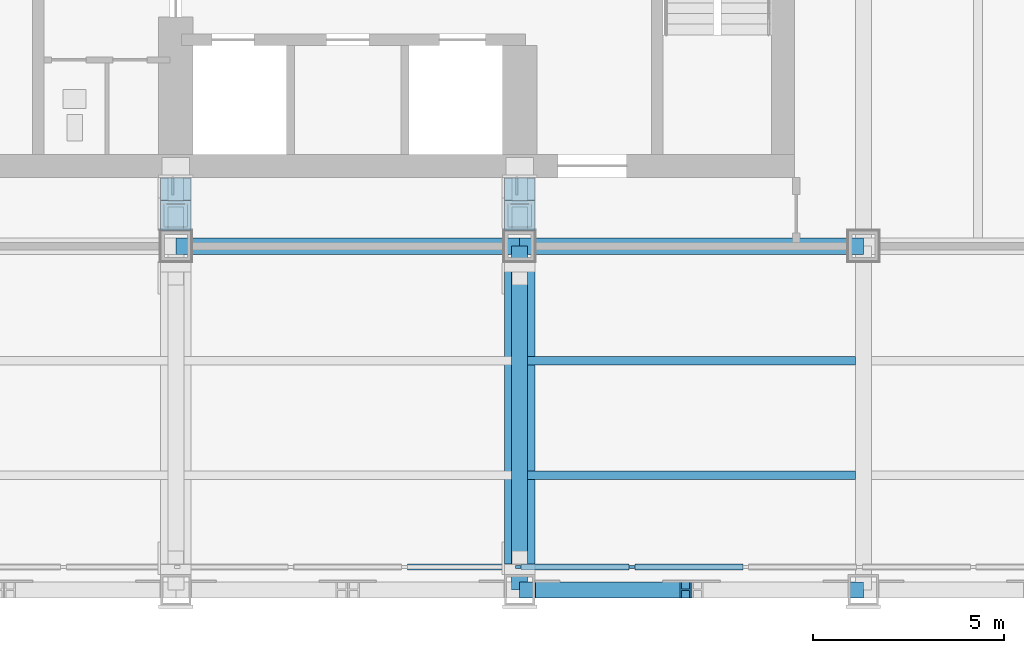
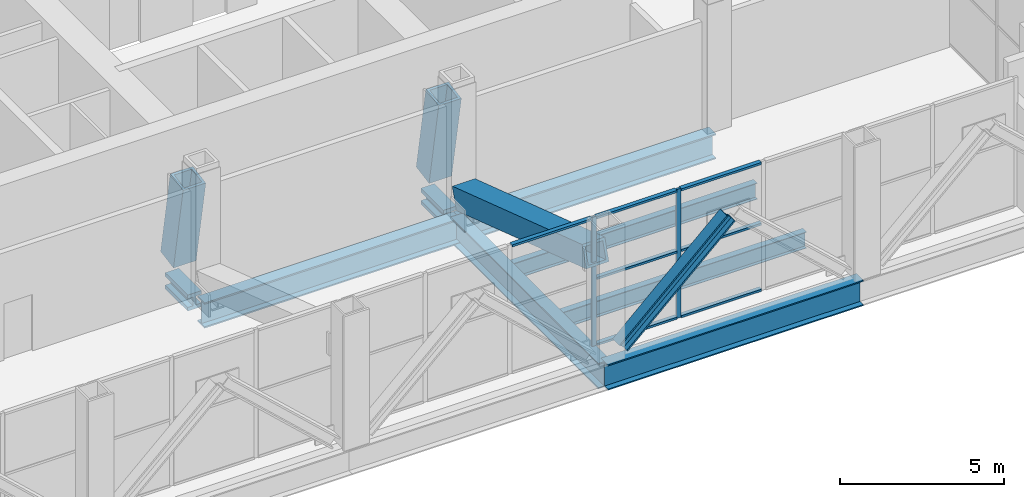
# One storey, part 3 of 13: 15 members, 6 beams, 1 element without a shape of its own.
"""IFC4 building model written with IfcOpenShell, lengths in metres."""

from ifc_helpers import new_model, si_unit, direction, frame, origin, origin_2d, place, context, subcontext, project, spatial, rectangle, hollow_rectangle, i_section, extrude, material, material_profile, profile_set, type_object, element, aggregate, save


model = new_model("IFC4")

# Units and contexts
model_context = context("Model", 3, precision=1e-05, world=origin(), true_north=direction((0.0, 1.0)))
body_context = subcontext(model_context, "Body", "Model", "MODEL_VIEW")
ifc_project = project(units=[si_unit("LENGTHUNIT", "METRE"), si_unit("AREAUNIT", "SQUARE_METRE"), si_unit("VOLUMEUNIT", "CUBIC_METRE"), si_unit("PLANEANGLEUNIT", "RADIAN"), si_unit("MASSUNIT", "GRAM", prefix="KILO")], contexts=[model_context])

# Site, building, storey
site_placement = place(None, origin())
site = spatial("IfcSite", under=ifc_project, at=site_placement, CompositionType="ELEMENT")
building_placement = place(site_placement, origin())
building = spatial("IfcBuilding", under=site, at=building_placement, Name="Loomwork Tower", CompositionType="ELEMENT")
storey_placement = place(building_placement, frame((0.0, 0.0, 221.60009765625)))
storey = spatial("IfcBuildingStorey", under=building, at=storey_placement, Name="L61", CompositionType="ELEMENT", Elevation=221.60009765625)

# Beam
ifc_material_1 = material(Name="Steel ASTM A992", Category="steel")
ifc_material_profile_1 = material_profile(ifc_material_1, i_section(OverallWidth=0.424072265625, OverallDepth=0.947509765625, WebThickness=0.02392578125, FlangeThickness=0.042724609375, at=origin_2d()), Name="W36x302")
ifc_profile_set_1 = profile_set([ifc_material_profile_1], Name="Steel ASTM A992")
beam_type_1 = type_object("IfcBeamType", Name="BELT CHORD SPANDREL W36x302", PredefinedType="SPANDREL", material=ifc_profile_set_1)
beam_1_placement = place(storey_placement, frame((27.0, 0.0, -0.723876953125), z_axis=(1.0, 0.0, 0.0), x_axis=(0.0, 1.0, 0.0)))
element("IfcBeam", 1, at=beam_1_placement, inside=storey, type_object=beam_type_1, Name="Belt Chord Spandrel D/5-D/6 L61", PredefinedType="SPANDREL", context=body_context, shape_type="SweptSolid", body=[
    extrude(i_section(OverallWidth=0.424072265625, OverallDepth=0.947509765625, WebThickness=0.02392578125, FlangeThickness=0.042724609375, at=origin_2d()), origin(), (0.0, 0.0, 1.0), 9.0),
])

# Members
ifc_material_2 = material(Name="Steel ASTM A992", Category="steel")
ifc_material_profile_2 = material_profile(ifc_material_2, i_section(OverallWidth=0.411376953125, OverallDepth=0.434326171875, WebThickness=0.035888671875, FlangeThickness=0.057373046875, at=origin_2d()), Name="W14x311")
ifc_profile_set_2 = profile_set([ifc_material_profile_2], Name="Steel ASTM A992")
member_type_1 = type_object("IfcMemberType", Name="BELT TRUSS DIAGONAL W14x311", PredefinedType="BRACE", material=ifc_profile_set_2)
member_1_placement = place(storey_placement, frame((27.5576171875, 0.0, 0.169189453125), z_axis=(0.732985346521, 0.0, 0.680244427971), x_axis=(0.0, 1.0, 0.0)))
element("IfcMember", 2, at=member_1_placement, inside=storey, type_object=member_type_1, Name="Belt truss diagonal D/5-D/6 L61", PredefinedType="BRACE", context=body_context, shape_type="SweptSolid", body=[
    extrude(i_section(OverallWidth=0.411376953125, OverallDepth=0.434326171875, WebThickness=0.035888671875, FlangeThickness=0.057373046875, at=origin_2d()), origin(), (0.0, 0.0, 1.0), 5.166015625),
])
ifc_material_3 = material(Name="Steel ASTM A572 Grade 50 plate", Category="steel")
ifc_material_profile_3 = material_profile(ifc_material_3, hollow_rectangle(XDim=0.800048828125, YDim=0.800048828125, WallThickness=0.090087890625, at=origin_2d()), Name="BOX800x90")
ifc_profile_set_3 = profile_set([ifc_material_profile_3], Name="Steel ASTM A572 Grade 50 plate")
member_type_2 = type_object("IfcMemberType", Name="OUTRIGGER DIAGONAL BOX800x90", PredefinedType="BRACE", material=ifc_profile_set_3)
member_2_placement = place(storey_placement, frame((18.0, 9.8056640625, 3.76904296875), z_axis=(0.0, 0.178462027692, -0.983946799716), x_axis=(-1.0, 0.0, 0.0)))
element("IfcMember", 3, at=member_2_placement, inside=storey, type_object=member_type_2, Name="Outrigger diagonal E/4 L61", PredefinedType="BRACE", context=body_context, shape_type="SweptSolid", body=[
    extrude(hollow_rectangle(XDim=0.800048828125, YDim=0.800048828125, WallThickness=0.090087890625, at=origin_2d()), origin(), (0.0, 0.0, 1.0), 3.29833984375),
])
member_3_placement = place(storey_placement, frame((27.0, 0.5380859375, 3.460693359375), z_axis=(0.0, 0.949126861958, -0.314893950258), x_axis=(-1.0, 0.0, 0.0)))
element("IfcMember", 4, at=member_3_placement, inside=storey, type_object=member_type_2, Name="Outrigger diagonal D/5 L61", PredefinedType="BRACE", context=body_context, shape_type="SweptSolid", body=[
    extrude(hollow_rectangle(XDim=0.800048828125, YDim=0.800048828125, WallThickness=0.090087890625, at=origin_2d()), origin(), (0.0, 0.0, 1.0), 8.3486328125),
])
member_4_placement = place(storey_placement, frame((27.0, 9.8056640625, 3.76904296875), z_axis=(0.0, 0.178462027692, -0.983946799716), x_axis=(-1.0, 0.0, 0.0)))
element("IfcMember", 5, at=member_4_placement, inside=storey, type_object=member_type_2, Name="Outrigger diagonal E/5 L61", PredefinedType="BRACE", context=body_context, shape_type="SweptSolid", body=[
    extrude(hollow_rectangle(XDim=0.800048828125, YDim=0.800048828125, WallThickness=0.090087890625, at=origin_2d()), origin(), (0.0, 0.0, 1.0), 3.29833984375),
])

# Beams
ifc_material_4 = material(Name="Steel ASTM A992", Category="steel")
ifc_material_profile_4 = material_profile(ifc_material_4, i_section(OverallWidth=0.4267578125, OverallDepth=0.939697265625, WebThickness=0.028564453125, FlangeThickness=0.050537109375, at=origin_2d()), Name="W36x361")
ifc_profile_set_4 = profile_set([ifc_material_profile_4], Name="Steel ASTM A992")
beam_type_2 = type_object("IfcBeamType", Name="OUTRIGGER FLOOR GIRDER W36x361", PredefinedType="BEAM", material=ifc_profile_set_4)
for number, where, z_axis, x_axis, name in (
    (6, (18.0, 9.0, -0.719970703125), (1.0, 0.0, 0.0), (0.0, 1.0, 0.0), "Outrigger Floor Girder E/4-E/5 L61"),
    (7, (27.0, 9.0, -0.719970703125), (1.0, 0.0, 0.0), (0.0, 1.0, 0.0), "Outrigger Floor Girder E/5-E/6 L61"),
):
    element("IfcBeam", number, at=place(storey_placement, frame(where, z_axis=z_axis, x_axis=x_axis)), inside=storey, type_object=beam_type_2, Name=name, PredefinedType="BEAM", context=body_context, shape_type="SweptSolid", body=[
        extrude(i_section(OverallWidth=0.4267578125, OverallDepth=0.939697265625, WebThickness=0.028564453125, FlangeThickness=0.050537109375, at=origin_2d()), origin(), (0.0, 0.0, 1.0), 9.0),
    ])
ifc_material_5 = material(Name="Steel ASTM A992", Category="steel")
ifc_material_profile_5 = material_profile(ifc_material_5, i_section(OverallWidth=0.424072265625, OverallDepth=0.947509765625, WebThickness=0.02392578125, FlangeThickness=0.042724609375, at=origin_2d()), Name="W36x302")
ifc_profile_set_5 = profile_set([ifc_material_profile_5], Name="Steel ASTM A992")
beam_type_3 = type_object("IfcBeamType", Name="OUTRIGGER GIRDER W36x302", PredefinedType="BEAM", material=ifc_profile_set_5)
beam_2_placement = place(storey_placement, frame((27.0, 0.0, -0.723876953125), z_axis=(0.0, 1.0, 0.0), x_axis=(-1.0, 0.0, 0.0)))
element("IfcBeam", 8, at=beam_2_placement, inside=storey, type_object=beam_type_3, Name="Outrigger Girder D/5-E/5 L61", PredefinedType="BEAM", context=body_context, shape_type="SweptSolid", body=[
    extrude(i_section(OverallWidth=0.424072265625, OverallDepth=0.947509765625, WebThickness=0.02392578125, FlangeThickness=0.042724609375, at=origin_2d()), origin(), (0.0, 0.0, 1.0), 9.0),
])

# Members
ifc_material_6 = material(Name="Steel ASTM A992", Category="steel")
ifc_material_profile_6 = material_profile(ifc_material_6, i_section(OverallWidth=0.4775390625, OverallDepth=0.599365234375, WebThickness=0.10009765625, FlangeThickness=0.139892578125, at=origin_2d()), Name="W14x873")
ifc_profile_set_6 = profile_set([ifc_material_profile_6], Name="Steel ASTM A992")
member_type_3 = type_object("IfcMemberType", Name="OUTRIGGER STRUT W14x873", PredefinedType="STRUT", material=ifc_profile_set_6)
for number, where, z_axis, x_axis, name in (
    (9, (27.0, 9.409912109375, -0.5498046875), (0.0, 1.0, 0.0), (-1.0, 0.0, 0.0), "Outrigger strut E/5-27.000,11.100 L61"),
    (10, (18.0, 9.409912109375, -0.5498046875), (0.0, 1.0, 0.0), (-1.0, 0.0, 0.0), "Outrigger strut E/4-18.000,11.100 L61"),
):
    element("IfcMember", number, at=place(storey_placement, frame(where, z_axis=z_axis, x_axis=x_axis)), inside=storey, type_object=member_type_3, Name=name, PredefinedType="STRUT", context=body_context, shape_type="SweptSolid", body=[
        extrude(i_section(OverallWidth=0.4775390625, OverallDepth=0.599365234375, WebThickness=0.10009765625, FlangeThickness=0.139892578125, at=origin_2d()), origin(), (0.0, 0.0, 1.0), 1.375),
    ])

# Beams
ifc_material_7 = material(Name="Steel ASTM A992", Category="steel")
ifc_material_profile_7 = material_profile(ifc_material_7, i_section(OverallWidth=0.228271484375, OverallDepth=0.607177734375, WebThickness=0.01123046875, FlangeThickness=0.017333984375, at=origin_2d()), Name="W24x76")
ifc_profile_set_7 = profile_set([ifc_material_profile_7], Name="Steel ASTM A992")
beam_type_4 = type_object("IfcBeamType", Name="PLANT FLOOR JOIST W24x76", PredefinedType="JOIST", material=ifc_profile_set_7)
for number, where, z_axis, x_axis, name in (
    (11, (27.2119140625, 3.0, -0.5537109375), (1.0, 0.0, 0.0), (0.0, 1.0, 0.0), "Plant Floor Joist 27.000,3.000-36.000,3.000 L61"),
    (12, (27.2119140625, 6.0, -0.5537109375), (1.0, 0.0, 0.0), (0.0, 1.0, 0.0), "Plant Floor Joist 27.000,6.000-36.000,6.000 L61"),
):
    element("IfcBeam", number, at=place(storey_placement, frame(where, z_axis=z_axis, x_axis=x_axis)), inside=storey, type_object=beam_type_4, Name=name, PredefinedType="JOIST", context=body_context, shape_type="SweptSolid", body=[
        extrude(i_section(OverallWidth=0.228271484375, OverallDepth=0.607177734375, WebThickness=0.01123046875, FlangeThickness=0.017333984375, at=origin_2d()), origin(), (0.0, 0.0, 1.0), 8.5751953125),
    ])

# Curtain wall, members
ifc_material_8 = material(Name="Aluminium louvre frame", Category="aluminium")
curtain_wall_type = type_object("IfcCurtainWallType", Name="Plant floor louvre screen", PredefinedType="NOTDEFINED", material=ifc_material_8)
curtain_wall_placement = place(storey_placement, origin())
curtain_wall = element("IfcCurtainWall", 13, at=curtain_wall_placement, inside=storey, type_object=curtain_wall_type, Name="Plant floor louvre screen cw/S", PredefinedType="NOTDEFINED")
ifc_material_9 = material(Name="Aluminium louvre frame", Category="aluminium")
ifc_material_profile_8 = material_profile(ifc_material_9, rectangle(XDim=0.080078125, YDim=0.14990234375, at=origin_2d()), Name="AL 80x150")
ifc_profile_set_8 = profile_set([ifc_material_profile_8], Name="Aluminium louvre frame")
member_type_4 = type_object("IfcMemberType", Name="Plant floor louvre screen mullion", PredefinedType="MULLION", material=ifc_profile_set_8)
member_5_placement = place(storey_placement, frame((26.96533203125, 0.60009765625, 0.0), z_axis=(0.0, 0.0, 1.0), x_axis=(0.0, 1.0, 0.0)))
member_5 = element("IfcMember", 14, at=member_5_placement, type_object=member_type_4, Name="CW4 mullion 9", PredefinedType="MULLION", context=body_context, shape_type="SweptSolid", body=[
    extrude(rectangle(XDim=0.080078125, YDim=0.14990234375, at=origin_2d()), origin(), (0.0, 0.0, 1.0), 4.7998046875),
])
member_6_placement = place(storey_placement, frame((29.9423828125, 0.60009765625, 0.0), z_axis=(0.0, 0.0, 1.0), x_axis=(0.0, 1.0, 0.0)))
member_6 = element("IfcMember", 15, at=member_6_placement, type_object=member_type_4, Name="CW4 mullion 10", PredefinedType="MULLION", context=body_context, shape_type="SweptSolid", body=[
    extrude(rectangle(XDim=0.080078125, YDim=0.14990234375, at=origin_2d()), origin(), (0.0, 0.0, 1.0), 4.7998046875),
])
ifc_material_10 = material(Name="Aluminium louvre frame", Category="aluminium")
ifc_material_profile_9 = material_profile(ifc_material_10, rectangle(XDim=0.14990234375, YDim=0.080078125, at=origin_2d()), Name="AL 80x150")
ifc_profile_set_9 = profile_set([ifc_material_profile_9], Name="Aluminium louvre frame")
member_type_5 = type_object("IfcMemberType", Name="Plant floor louvre screen transom", PredefinedType="USERDEFINED", material=ifc_profile_set_9)
member_7_placement = place(storey_placement, frame((24.0634765625, 0.60009765625, 4.760009765625), z_axis=(1.0, 0.0, 0.0), x_axis=(0.0, 1.0, 0.0)))
member_7 = element("IfcMember", 16, at=member_7_placement, type_object=member_type_5, Name="CW4 transom 8.3", ObjectType="TRANSOM", PredefinedType="USERDEFINED", context=body_context, shape_type="SweptSolid", body=[
    extrude(rectangle(XDim=0.14990234375, YDim=0.080078125, at=origin_2d()), origin(), (0.0, 0.0, 1.0), 2.826904296875),
])
member_8_placement = place(storey_placement, frame((27.040283203125, 0.60009765625, 0.039794921875), z_axis=(1.0, 0.0, 0.0), x_axis=(0.0, 1.0, 0.0)))
member_8 = element("IfcMember", 17, at=member_8_placement, type_object=member_type_5, Name="CW4 transom 9.1", ObjectType="TRANSOM", PredefinedType="USERDEFINED", context=body_context, shape_type="SweptSolid", body=[
    extrude(rectangle(XDim=0.14990234375, YDim=0.080078125, at=origin_2d()), origin(), (0.0, 0.0, 1.0), 2.826904296875),
])
member_9_placement = place(storey_placement, frame((27.040283203125, 0.60009765625, 2.5), z_axis=(1.0, 0.0, 0.0), x_axis=(0.0, 1.0, 0.0)))
member_9 = element("IfcMember", 18, at=member_9_placement, type_object=member_type_5, Name="CW4 transom 9.2", ObjectType="TRANSOM", PredefinedType="USERDEFINED", context=body_context, shape_type="SweptSolid", body=[
    extrude(rectangle(XDim=0.14990234375, YDim=0.080078125, at=origin_2d()), origin(), (0.0, 0.0, 1.0), 2.826904296875),
])
member_10_placement = place(storey_placement, frame((27.040283203125, 0.60009765625, 4.760009765625), z_axis=(1.0, 0.0, 0.0), x_axis=(0.0, 1.0, 0.0)))
member_10 = element("IfcMember", 19, at=member_10_placement, type_object=member_type_5, Name="CW4 transom 9.3", ObjectType="TRANSOM", PredefinedType="USERDEFINED", context=body_context, shape_type="SweptSolid", body=[
    extrude(rectangle(XDim=0.14990234375, YDim=0.080078125, at=origin_2d()), origin(), (0.0, 0.0, 1.0), 2.826904296875),
])
member_11_placement = place(storey_placement, frame((30.017333984375, 0.60009765625, 0.039794921875), z_axis=(1.0, 0.0, 0.0), x_axis=(0.0, 1.0, 0.0)))
member_11 = element("IfcMember", 20, at=member_11_placement, type_object=member_type_5, Name="CW4 transom 10.1", ObjectType="TRANSOM", PredefinedType="USERDEFINED", context=body_context, shape_type="SweptSolid", body=[
    extrude(rectangle(XDim=0.14990234375, YDim=0.080078125, at=origin_2d()), origin(), (0.0, 0.0, 1.0), 2.826904296875),
])
member_12_placement = place(storey_placement, frame((30.017333984375, 0.60009765625, 2.5), z_axis=(1.0, 0.0, 0.0), x_axis=(0.0, 1.0, 0.0)))
member_12 = element("IfcMember", 21, at=member_12_placement, type_object=member_type_5, Name="CW4 transom 10.2", ObjectType="TRANSOM", PredefinedType="USERDEFINED", context=body_context, shape_type="SweptSolid", body=[
    extrude(rectangle(XDim=0.14990234375, YDim=0.080078125, at=origin_2d()), origin(), (0.0, 0.0, 1.0), 2.826904296875),
])
member_13_placement = place(storey_placement, frame((30.017333984375, 0.60009765625, 4.760009765625), z_axis=(1.0, 0.0, 0.0), x_axis=(0.0, 1.0, 0.0)))
member_13 = element("IfcMember", 22, at=member_13_placement, type_object=member_type_5, Name="CW4 transom 10.3", ObjectType="TRANSOM", PredefinedType="USERDEFINED", context=body_context, shape_type="SweptSolid", body=[
    extrude(rectangle(XDim=0.14990234375, YDim=0.080078125, at=origin_2d()), origin(), (0.0, 0.0, 1.0), 2.826904296875),
])
aggregate(curtain_wall, [member_5, member_6, member_7, member_8, member_9, member_10, member_11, member_12, member_13])

save(model, "model.ifc")
